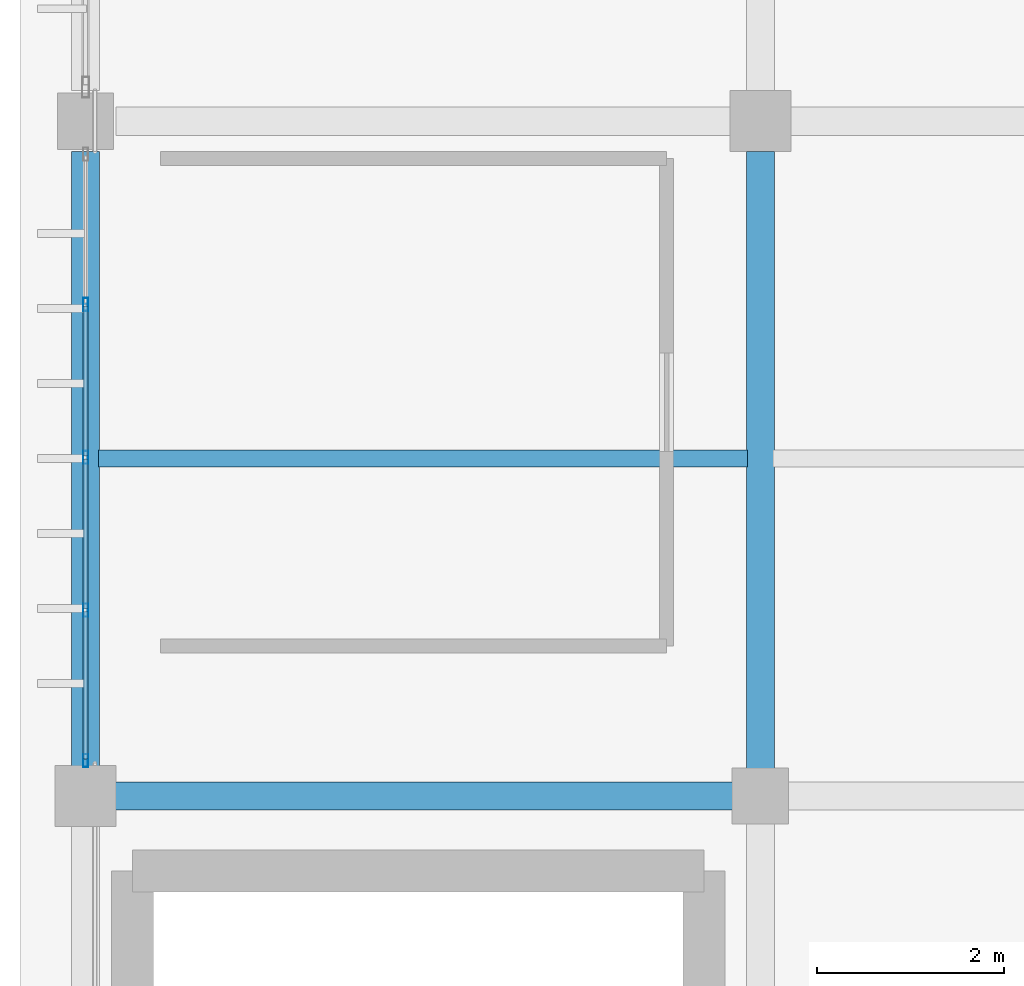
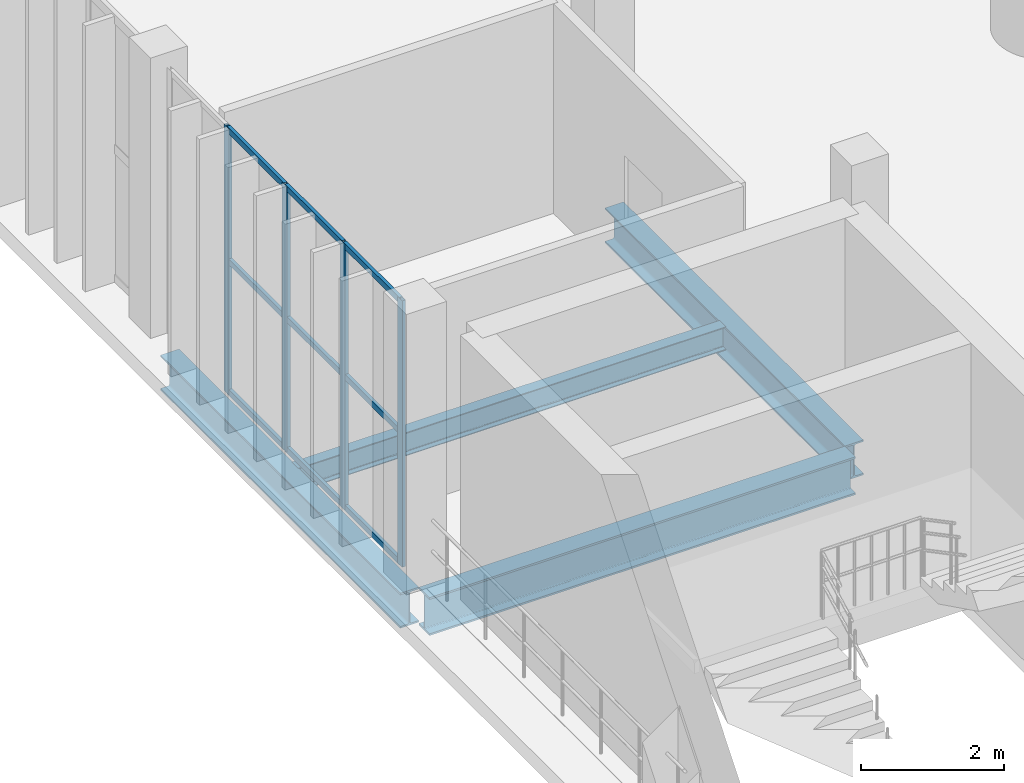
# One storey, part 15 of 105: 13 members, 4 beams, 1 element without a shape of its own.
"""IFC4 building model written with IfcOpenShell, lengths in metres."""

from ifc_helpers import new_model, si_unit, direction, frame, origin, origin_2d, place, context, subcontext, project, spatial, hollow_rectangle, i_section, extrude, material, material_profile, profile_set, type_object, element, aggregate, save


model = new_model("IFC4")

# Units and contexts
model_context = context("Model", 3, precision=1e-05, world=origin(), true_north=direction((0.0, 1.0)))
body_context = subcontext(model_context, "Body", "Model", "MODEL_VIEW")
ifc_project = project(units=[si_unit("LENGTHUNIT", "METRE"), si_unit("AREAUNIT", "SQUARE_METRE"), si_unit("VOLUMEUNIT", "CUBIC_METRE"), si_unit("PLANEANGLEUNIT", "RADIAN"), si_unit("MASSUNIT", "GRAM", prefix="KILO")], contexts=[model_context])

# Site, building, storey
site_placement = place(None, origin())
site = spatial("IfcSite", under=ifc_project, at=site_placement, CompositionType="ELEMENT")
building_placement = place(site_placement, origin())
building = spatial("IfcBuilding", under=site, at=building_placement, Name="Qandorah Velis Arena", CompositionType="ELEMENT")
storey_placement = place(building_placement, frame((0.0, 0.0, 13.800048828125)))
storey = spatial("IfcBuildingStorey", under=building, at=storey_placement, Name="L03", CompositionType="ELEMENT", Elevation=13.800048828125)

# Curtain wall, members
ifc_material_1 = material(Name="Solar-control low-E double glazing", Category="glass")
curtain_wall_type = type_object("IfcCurtainWallType", Name="ARC-CW-SYS24", PredefinedType="USERDEFINED", material=ifc_material_1)
curtain_wall_placement = place(storey_placement, origin())
curtain_wall = element("IfcCurtainWall", 1, at=curtain_wall_placement, inside=storey, type_object=curtain_wall_type, Name="Unitised curtain wall L03-024", ObjectType="UNITISED CURTAIN WALL", PredefinedType="USERDEFINED")
ifc_material_2 = material(Name="Champagne-bronze anodized aluminium 6063-T6", Category="aluminium")
ifc_material_profile_1 = material_profile(ifc_material_2, hollow_rectangle(XDim=0.054931640625, YDim=0.139892578125, WallThickness=0.0029296875, at=origin_2d()), Name="ALU MULLION 55x140")
ifc_profile_set_1 = profile_set([ifc_material_profile_1], Name="Champagne-bronze anodized aluminium 6063-T6")
member_type_1 = type_object("IfcMemberType", Name="ARC-CWM-140", PredefinedType="MULLION", material=ifc_profile_set_1)
member_1_placement = place(storey_placement, frame((0.0, 50.777587890625, -0.01513671875), z_axis=(0.0, 0.0, 1.0), x_axis=(-1.0, 0.0, 0.0)))
member_1 = element("IfcMember", 2, at=member_1_placement, type_object=member_type_1, Name="CW24 mullion 1", PredefinedType="MULLION", context=body_context, shape_type="SweptSolid", body=[
    extrude(hollow_rectangle(XDim=0.054931640625, YDim=0.139892578125, WallThickness=0.0029296875, at=origin_2d()), origin(), (0.0, 0.0, 1.0), 4.56005859375),
])
member_2_placement = place(storey_placement, frame((0.0, 52.38134765625, -0.01513671875), z_axis=(0.0, 0.0, 1.0), x_axis=(-1.0, 0.0, 0.0)))
member_2 = element("IfcMember", 3, at=member_2_placement, type_object=member_type_1, Name="CW24 mullion 2", PredefinedType="MULLION", context=body_context, shape_type="SweptSolid", body=[
    extrude(hollow_rectangle(XDim=0.054931640625, YDim=0.139892578125, WallThickness=0.0029296875, at=origin_2d()), origin(), (0.0, 0.0, 1.0), 4.56005859375),
])
member_3_placement = place(storey_placement, frame((0.0, 54.012451171875, -0.01513671875), z_axis=(0.0, 0.0, 1.0), x_axis=(-1.0, 0.0, 0.0)))
member_3 = element("IfcMember", 4, at=member_3_placement, type_object=member_type_1, Name="CW24 mullion 3", PredefinedType="MULLION", context=body_context, shape_type="SweptSolid", body=[
    extrude(hollow_rectangle(XDim=0.054931640625, YDim=0.139892578125, WallThickness=0.0029296875, at=origin_2d()), origin(), (0.0, 0.0, 1.0), 4.56005859375),
])
member_4_placement = place(storey_placement, frame((0.0, 55.643798828125, -0.01513671875), z_axis=(0.0, 0.0, 1.0), x_axis=(-1.0, 0.0, 0.0)))
member_4 = element("IfcMember", 5, at=member_4_placement, type_object=member_type_1, Name="CW24 mullion 4", PredefinedType="MULLION", context=body_context, shape_type="SweptSolid", body=[
    extrude(hollow_rectangle(XDim=0.054931640625, YDim=0.139892578125, WallThickness=0.0029296875, at=origin_2d()), origin(), (0.0, 0.0, 1.0), 4.56005859375),
])
ifc_material_profile_2 = material_profile(ifc_material_2, hollow_rectangle(XDim=0.054931640625, YDim=0.10009765625, WallThickness=0.0029296875, at=origin_2d()), Name="ALU TRANSOM 55x100")
ifc_profile_set_2 = profile_set([ifc_material_profile_2], Name="Champagne-bronze anodized aluminium 6063-T6")
member_type_2 = type_object("IfcMemberType", Name="ARC-CWT-100", PredefinedType="USERDEFINED", material=ifc_profile_set_2)
member_5_placement = place(storey_placement, frame((0.0, 50.79296875, 0.02734375), z_axis=(0.0, 1.0, 0.0), x_axis=(-1.0, 0.0, 0.0)))
member_5 = element("IfcMember", 6, at=member_5_placement, type_object=member_type_2, Name="CW24 transom 1.1", ObjectType="TRANSOM", PredefinedType="USERDEFINED", context=body_context, shape_type="SweptSolid", body=[
    extrude(hollow_rectangle(XDim=0.054931640625, YDim=0.10009765625, WallThickness=0.0029296875, at=origin_2d()), origin(), (0.0, 0.0, 1.0), 1.57275390625),
])
member_6_placement = place(storey_placement, frame((0.0, 50.79296875, 2.264892578125), z_axis=(0.0, 1.0, 0.0), x_axis=(-1.0, 0.0, 0.0)))
member_6 = element("IfcMember", 7, at=member_6_placement, type_object=member_type_2, Name="CW24 transom 1.2", ObjectType="TRANSOM", PredefinedType="USERDEFINED", context=body_context, shape_type="SweptSolid", body=[
    extrude(hollow_rectangle(XDim=0.054931640625, YDim=0.10009765625, WallThickness=0.0029296875, at=origin_2d()), origin(), (0.0, 0.0, 1.0), 1.57275390625),
])
member_7_placement = place(storey_placement, frame((0.0, 50.79296875, 4.50244140625), z_axis=(0.0, 1.0, 0.0), x_axis=(-1.0, 0.0, 0.0)))
member_7 = element("IfcMember", 8, at=member_7_placement, type_object=member_type_2, Name="CW24 transom 1.3", ObjectType="TRANSOM", PredefinedType="USERDEFINED", context=body_context, shape_type="SweptSolid", body=[
    extrude(hollow_rectangle(XDim=0.054931640625, YDim=0.10009765625, WallThickness=0.0029296875, at=origin_2d()), origin(), (0.0, 0.0, 1.0), 1.57275390625),
])
member_8_placement = place(storey_placement, frame((0.0, 52.396728515625, 0.02734375), z_axis=(0.0, 1.0, 0.0), x_axis=(-1.0, 0.0, 0.0)))
member_8 = element("IfcMember", 9, at=member_8_placement, type_object=member_type_2, Name="CW24 transom 2.1", ObjectType="TRANSOM", PredefinedType="USERDEFINED", context=body_context, shape_type="SweptSolid", body=[
    extrude(hollow_rectangle(XDim=0.054931640625, YDim=0.10009765625, WallThickness=0.0029296875, at=origin_2d()), origin(), (0.0, 0.0, 1.0), 1.600341796875),
])
member_9_placement = place(storey_placement, frame((0.0, 52.396728515625, 2.264892578125), z_axis=(0.0, 1.0, 0.0), x_axis=(-1.0, 0.0, 0.0)))
member_9 = element("IfcMember", 10, at=member_9_placement, type_object=member_type_2, Name="CW24 transom 2.2", ObjectType="TRANSOM", PredefinedType="USERDEFINED", context=body_context, shape_type="SweptSolid", body=[
    extrude(hollow_rectangle(XDim=0.054931640625, YDim=0.10009765625, WallThickness=0.0029296875, at=origin_2d()), origin(), (0.0, 0.0, 1.0), 1.600341796875),
])
member_10_placement = place(storey_placement, frame((0.0, 52.396728515625, 4.50244140625), z_axis=(0.0, 1.0, 0.0), x_axis=(-1.0, 0.0, 0.0)))
member_10 = element("IfcMember", 11, at=member_10_placement, type_object=member_type_2, Name="CW24 transom 2.3", ObjectType="TRANSOM", PredefinedType="USERDEFINED", context=body_context, shape_type="SweptSolid", body=[
    extrude(hollow_rectangle(XDim=0.054931640625, YDim=0.10009765625, WallThickness=0.0029296875, at=origin_2d()), origin(), (0.0, 0.0, 1.0), 1.600341796875),
])
member_11_placement = place(storey_placement, frame((0.0, 54.028076171875, 0.02734375), z_axis=(0.0, 1.0, 0.0), x_axis=(-1.0, 0.0, 0.0)))
member_11 = element("IfcMember", 12, at=member_11_placement, type_object=member_type_2, Name="CW24 transom 3.1", ObjectType="TRANSOM", PredefinedType="USERDEFINED", context=body_context, shape_type="SweptSolid", body=[
    extrude(hollow_rectangle(XDim=0.054931640625, YDim=0.10009765625, WallThickness=0.0029296875, at=origin_2d()), origin(), (0.0, 0.0, 1.0), 1.600341796875),
])
member_12_placement = place(storey_placement, frame((0.0, 54.028076171875, 2.264892578125), z_axis=(0.0, 1.0, 0.0), x_axis=(-1.0, 0.0, 0.0)))
member_12 = element("IfcMember", 13, at=member_12_placement, type_object=member_type_2, Name="CW24 transom 3.2", ObjectType="TRANSOM", PredefinedType="USERDEFINED", context=body_context, shape_type="SweptSolid", body=[
    extrude(hollow_rectangle(XDim=0.054931640625, YDim=0.10009765625, WallThickness=0.0029296875, at=origin_2d()), origin(), (0.0, 0.0, 1.0), 1.600341796875),
])
member_13_placement = place(storey_placement, frame((0.0, 54.028076171875, 4.50244140625), z_axis=(0.0, 1.0, 0.0), x_axis=(-1.0, 0.0, 0.0)))
member_13 = element("IfcMember", 14, at=member_13_placement, type_object=member_type_2, Name="CW24 transom 3.3", ObjectType="TRANSOM", PredefinedType="USERDEFINED", context=body_context, shape_type="SweptSolid", body=[
    extrude(hollow_rectangle(XDim=0.054931640625, YDim=0.10009765625, WallThickness=0.0029296875, at=origin_2d()), origin(), (0.0, 0.0, 1.0), 1.600341796875),
])
aggregate(curtain_wall, [member_1, member_2, member_3, member_4, member_5, member_6, member_7, member_8, member_9, member_10, member_11, member_12, member_13])

# Beams
ifc_material_3 = material(Name="Steel S355", Category="steel")
ifc_material_profile_3 = material_profile(ifc_material_3, i_section(OverallWidth=0.300048828125, OverallDepth=0.60009765625, WebThickness=0.015380859375, FlangeThickness=0.030029296875, FilletRadius=0.027099609375, at=origin_2d()), Name="HEB 600")
ifc_profile_set_3 = profile_set([ifc_material_profile_3], Name="Steel S355")
beam_type_1 = type_object("IfcBeamType", Name="STR-BM-HEB600", PredefinedType="BEAM", material=ifc_profile_set_3)
for number, where, z_axis, x_axis, name in (
    (15, (0.0, 50.550048828125, -0.6201171875), (0.0, 1.0, 0.0), (-1.0, 0.0, 0.0), "Primary floor girder L03 Y-183"),
    (16, (7.199951171875, 50.550048828125, -0.6201171875), (0.0, 1.0, 0.0), (-1.0, 0.0, 0.0), "Primary floor girder L03 Y-197"),
):
    element("IfcBeam", number, at=place(storey_placement, frame(where, z_axis=z_axis, x_axis=x_axis)), inside=storey, type_object=beam_type_1, Name=name, PredefinedType="BEAM", context=body_context, shape_type="SweptSolid", body=[
        extrude(i_section(OverallWidth=0.300048828125, OverallDepth=0.60009765625, WebThickness=0.015380859375, FlangeThickness=0.030029296875, FilletRadius=0.027099609375, at=origin_2d()), origin(), (0.0, 0.0, 1.0), 6.724853515625),
    ])
ifc_material_profile_4 = material_profile(ifc_material_3, i_section(OverallWidth=0.300048828125, OverallDepth=0.64990234375, WebThickness=0.01611328125, FlangeThickness=0.031005859375, FilletRadius=0.027099609375, at=origin_2d()), Name="HEB 650")
ifc_profile_set_4 = profile_set([ifc_material_profile_4], Name="Steel S355")
beam_type_2 = type_object("IfcBeamType", Name="STR-BM-HEB650", PredefinedType="BEAM", material=ifc_profile_set_4)
beam_1_placement = place(storey_placement, frame((0.14990234375, 50.39990234375, -0.64501953125), z_axis=(1.0, 0.0, 0.0), x_axis=(0.0, 1.0, 0.0)))
element("IfcBeam", 17, at=beam_1_placement, inside=storey, type_object=beam_type_2, Name="Primary floor girder L03 X-075", PredefinedType="BEAM", context=body_context, shape_type="SweptSolid", body=[
    extrude(i_section(OverallWidth=0.300048828125, OverallDepth=0.64990234375, WebThickness=0.01611328125, FlangeThickness=0.031005859375, FilletRadius=0.027099609375, at=origin_2d()), origin(), (0.0, 0.0, 1.0), 6.900146484375),
])
ifc_material_profile_5 = material_profile(ifc_material_3, i_section(OverallWidth=0.179931640625, OverallDepth=0.39990234375, WebThickness=0.008544921875, FlangeThickness=0.013427734375, FilletRadius=0.02099609375, at=origin_2d()), Name="IPE 400")
ifc_profile_set_5 = profile_set([ifc_material_profile_5], Name="Steel S355")
beam_type_3 = type_object("IfcBeamType", Name="STR-JST-IPE400", PredefinedType="JOIST", material=ifc_profile_set_5)
beam_2_placement = place(storey_placement, frame((0.135009765625, 54.0, -0.52001953125), z_axis=(1.0, 0.0, 0.0), x_axis=(0.0, 1.0, 0.0)))
element("IfcBeam", 18, at=beam_2_placement, inside=storey, type_object=beam_type_3, Name="Secondary floor joist L03-004", PredefinedType="JOIST", context=body_context, shape_type="SweptSolid", body=[
    extrude(i_section(OverallWidth=0.179931640625, OverallDepth=0.39990234375, WebThickness=0.008544921875, FlangeThickness=0.013427734375, FilletRadius=0.02099609375, at=origin_2d()), origin(), (0.0, 0.0, 1.0), 6.929931640625),
])

save(model, "model.ifc")
